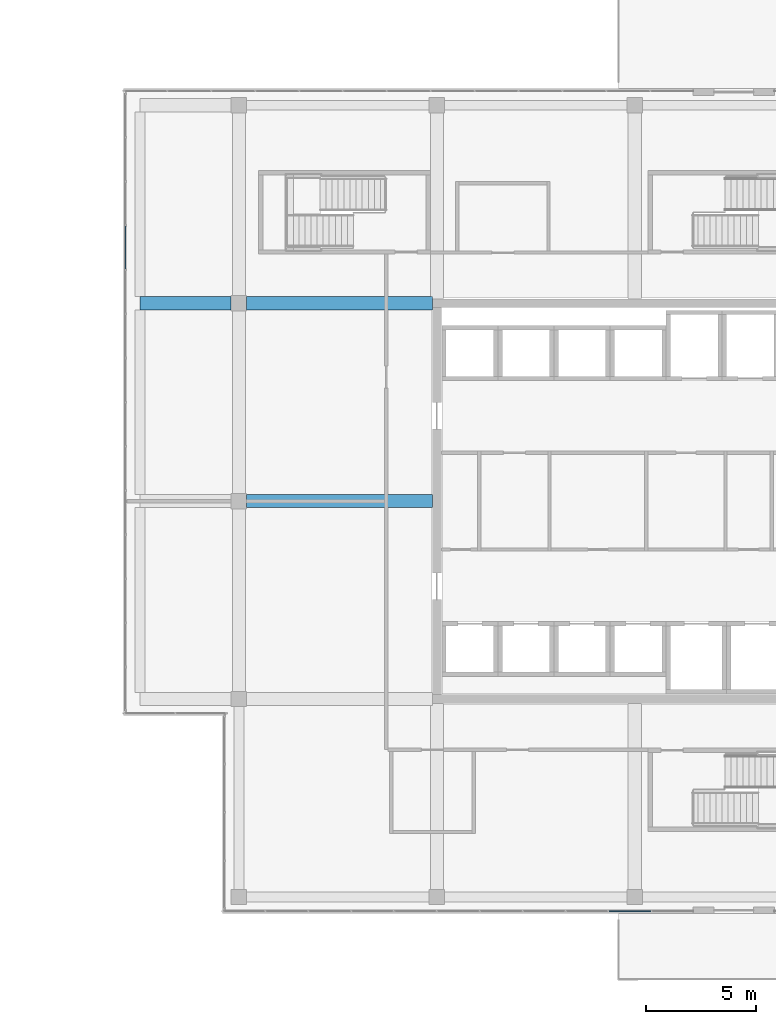
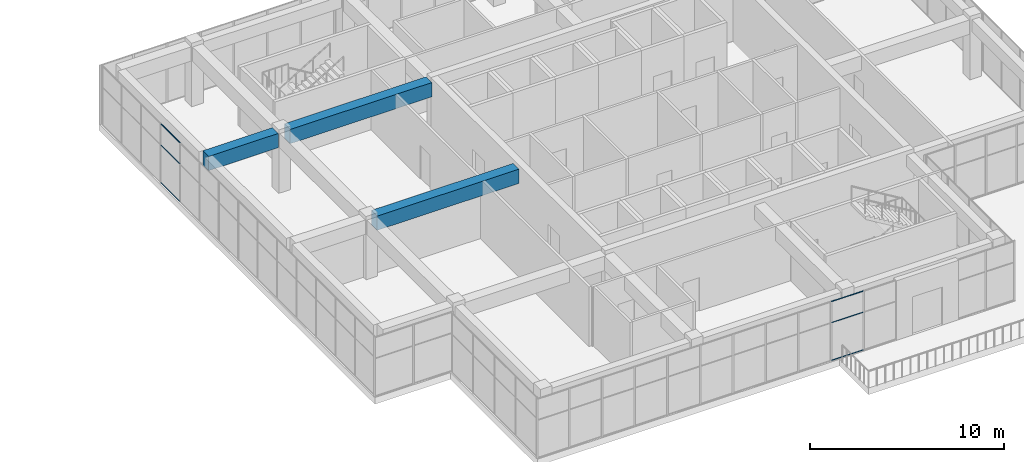
# One storey, part 20 of 49: 6 members, 3 beams, 2 elements without a shape of their own.
"""IFC4 building model written with IfcOpenShell, lengths in metres."""

from ifc_helpers import new_model, si_unit, direction, frame, origin, origin_2d, place, context, subcontext, project, spatial, rectangle, hollow_rectangle, extrude, material, layer, layer_set, material_profile, profile_set, type_object, element, aggregate, save


model = new_model("IFC4")

# Units and contexts
model_context = context("Model", 3, precision=1e-05, world=origin(), true_north=direction((0.0, 1.0)))
body_context = subcontext(model_context, "Body", "Model", "MODEL_VIEW")
ifc_project = project(units=[si_unit("LENGTHUNIT", "METRE"), si_unit("AREAUNIT", "SQUARE_METRE"), si_unit("VOLUMEUNIT", "CUBIC_METRE"), si_unit("PLANEANGLEUNIT", "RADIAN"), si_unit("MASSUNIT", "GRAM", prefix="KILO")], contexts=[model_context])

# Site, building, storey
site_placement = place(None, origin())
site = spatial("IfcSite", under=ifc_project, at=site_placement, CompositionType="ELEMENT")
building_placement = place(site_placement, origin())
building = spatial("IfcBuilding", under=site, at=building_placement, Name="Tuart Plaza Theatre", CompositionType="ELEMENT")
storey_placement = place(building_placement, frame((0.0, 0.0, 29.5)))
storey = spatial("IfcBuildingStorey", under=building, at=storey_placement, Name="L07", CompositionType="ELEMENT", Elevation=29.5)

# Beams
ifc_material_1 = material(Name="Concrete N40 (40 MPa)", Category="concrete")
ifc_material_profile_1 = material_profile(ifc_material_1, rectangle(XDim=0.60009765625, YDim=0.89990234375, at=origin_2d()), Name="BEAM 600x900 Concrete N40 (40 MPa)")
ifc_profile_set_1 = profile_set([ifc_material_profile_1], Name="Concrete N40 (40 MPa)")
beam_type = type_object("IfcBeamType", Name="BEAM 600x900 Concrete N40 (40 MPa)", PredefinedType="BEAM", material=ifc_profile_set_1)
beam_placement = place(storey_placement, frame((109.5, 83.0, 3.300048828125), z_axis=(1.0, 0.0, 0.0), x_axis=(0.0, 1.0, 0.0)))
element("IfcBeam", 1, at=beam_placement, inside=storey, type_object=beam_type, Name="RB253", PredefinedType="BEAM", context=body_context, shape_type="SweptSolid", body=[
    extrude(rectangle(XDim=0.60009765625, YDim=0.89990234375, at=origin_2d()), origin(), (0.0, 0.0, 1.0), 4.14990234375),
])
for number, where, z_axis, x_axis, name in (
    (2, (114.35009765625, 74.0, 3.300048828125), (1.0, 0.0, 0.0), (0.0, 1.0, 0.0), "RB260"),
    (3, (114.35009765625, 83.0, 3.300048828125), (1.0, 0.0, 0.0), (0.0, 1.0, 0.0), "RB262"),
):
    element("IfcBeam", number, at=place(storey_placement, frame(where, z_axis=z_axis, x_axis=x_axis)), inside=storey, type_object=beam_type, Name=name, PredefinedType="BEAM", context=body_context, shape_type="SweptSolid", body=[
        extrude(rectangle(XDim=0.60009765625, YDim=0.89990234375, at=origin_2d()), origin(), (0.0, 0.0, 1.0), 8.449951171875),
    ])

# Curtain wall, members
ifc_material_2 = material(Name="Aluminium and glass", Category="aluminium")
ifc_layer = layer(ifc_material_2, 0.10009765625)
ifc_layer_set = layer_set([ifc_layer], Name="CURTAIN WALL 2000 module")
curtain_wall_type = type_object("IfcCurtainWallType", Name="CURTAIN WALL 2000 module", PredefinedType="NOTDEFINED", material=ifc_layer_set)
curtain_wall_1_placement = place(storey_placement, origin())
curtain_wall_1 = element("IfcCurtainWall", 4, at=curtain_wall_1_placement, inside=storey, type_object=curtain_wall_type, Name="CW88", PredefinedType="NOTDEFINED")
ifc_material_3 = material(Name="Aluminium 6063-T5", Category="aluminium")
ifc_material_profile_2 = material_profile(ifc_material_3, hollow_rectangle(XDim=0.050048828125, YDim=0.050048828125, WallThickness=0.00390625, InnerFilletRadius=0.00390625, OuterFilletRadius=0.008056640625, at=origin_2d()), Name="RHS 50x50x4")
ifc_profile_set_2 = profile_set([ifc_material_profile_2], Name="Aluminium 6063-T5")
member_type = type_object("IfcMemberType", Name="TRANSOM RHS 50x50x4", PredefinedType="USERDEFINED", material=ifc_profile_set_2)
member_1_placement = place(storey_placement, frame((130.824951171875, 55.35009765625, 0.02490234375), z_axis=(1.0, 0.0, 0.0), x_axis=(0.0, 1.0, 0.0)))
member_1 = element("IfcMember", 5, at=member_1_placement, type_object=member_type, Name="CW88 transom 10.1", ObjectType="TRANSOM", PredefinedType="USERDEFINED", context=body_context, shape_type="SweptSolid", body=[
    extrude(hollow_rectangle(XDim=0.050048828125, YDim=0.050048828125, WallThickness=0.00390625, InnerFilletRadius=0.00390625, OuterFilletRadius=0.008056640625, at=origin_2d()), origin(), (0.0, 0.0, 1.0), 1.900146484375),
])
member_2_placement = place(storey_placement, frame((130.824951171875, 55.35009765625, 2.39990234375), z_axis=(1.0, 0.0, 0.0), x_axis=(0.0, 1.0, 0.0)))
member_2 = element("IfcMember", 6, at=member_2_placement, type_object=member_type, Name="CW88 transom 10.2", ObjectType="TRANSOM", PredefinedType="USERDEFINED", context=body_context, shape_type="SweptSolid", body=[
    extrude(hollow_rectangle(XDim=0.050048828125, YDim=0.050048828125, WallThickness=0.00390625, InnerFilletRadius=0.00390625, OuterFilletRadius=0.008056640625, at=origin_2d()), origin(), (0.0, 0.0, 1.0), 1.900146484375),
])
member_3_placement = place(storey_placement, frame((130.824951171875, 55.35009765625, 3.72509765625), z_axis=(1.0, 0.0, 0.0), x_axis=(0.0, 1.0, 0.0)))
member_3 = element("IfcMember", 7, at=member_3_placement, type_object=member_type, Name="CW88 transom 10.3", ObjectType="TRANSOM", PredefinedType="USERDEFINED", context=body_context, shape_type="SweptSolid", body=[
    extrude(hollow_rectangle(XDim=0.050048828125, YDim=0.050048828125, WallThickness=0.00390625, InnerFilletRadius=0.00390625, OuterFilletRadius=0.008056640625, at=origin_2d()), origin(), (0.0, 0.0, 1.0), 1.900146484375),
])
aggregate(curtain_wall_1, [member_1, member_2, member_3])

curtain_wall_2_placement = place(storey_placement, origin())
curtain_wall_2 = element("IfcCurtainWall", 8, at=curtain_wall_2_placement, inside=storey, type_object=curtain_wall_type, Name="CW97", PredefinedType="NOTDEFINED")
member_4_placement = place(storey_placement, frame((108.85009765625, 86.503662109375, 0.02490234375), z_axis=(0.0, -1.0, 0.0), x_axis=(1.0, 0.0, 0.0)))
member_4 = element("IfcMember", 9, at=member_4_placement, type_object=member_type, Name="CW97 transom 4.1", ObjectType="TRANSOM", PredefinedType="USERDEFINED", context=body_context, shape_type="SweptSolid", body=[
    extrude(hollow_rectangle(XDim=0.050048828125, YDim=0.050048828125, WallThickness=0.00390625, InnerFilletRadius=0.00390625, OuterFilletRadius=0.008056640625, at=origin_2d()), origin(), (0.0, 0.0, 1.0), 1.957275390625),
])
member_5_placement = place(storey_placement, frame((108.85009765625, 86.503662109375, 2.39990234375), z_axis=(0.0, -1.0, 0.0), x_axis=(1.0, 0.0, 0.0)))
member_5 = element("IfcMember", 10, at=member_5_placement, type_object=member_type, Name="CW97 transom 4.2", ObjectType="TRANSOM", PredefinedType="USERDEFINED", context=body_context, shape_type="SweptSolid", body=[
    extrude(hollow_rectangle(XDim=0.050048828125, YDim=0.050048828125, WallThickness=0.00390625, InnerFilletRadius=0.00390625, OuterFilletRadius=0.008056640625, at=origin_2d()), origin(), (0.0, 0.0, 1.0), 1.957275390625),
])
member_6_placement = place(storey_placement, frame((108.85009765625, 86.503662109375, 3.72509765625), z_axis=(0.0, -1.0, 0.0), x_axis=(1.0, 0.0, 0.0)))
member_6 = element("IfcMember", 11, at=member_6_placement, type_object=member_type, Name="CW97 transom 4.3", ObjectType="TRANSOM", PredefinedType="USERDEFINED", context=body_context, shape_type="SweptSolid", body=[
    extrude(hollow_rectangle(XDim=0.050048828125, YDim=0.050048828125, WallThickness=0.00390625, InnerFilletRadius=0.00390625, OuterFilletRadius=0.008056640625, at=origin_2d()), origin(), (0.0, 0.0, 1.0), 1.957275390625),
])
aggregate(curtain_wall_2, [member_4, member_5, member_6])

save(model, "model.ifc")
